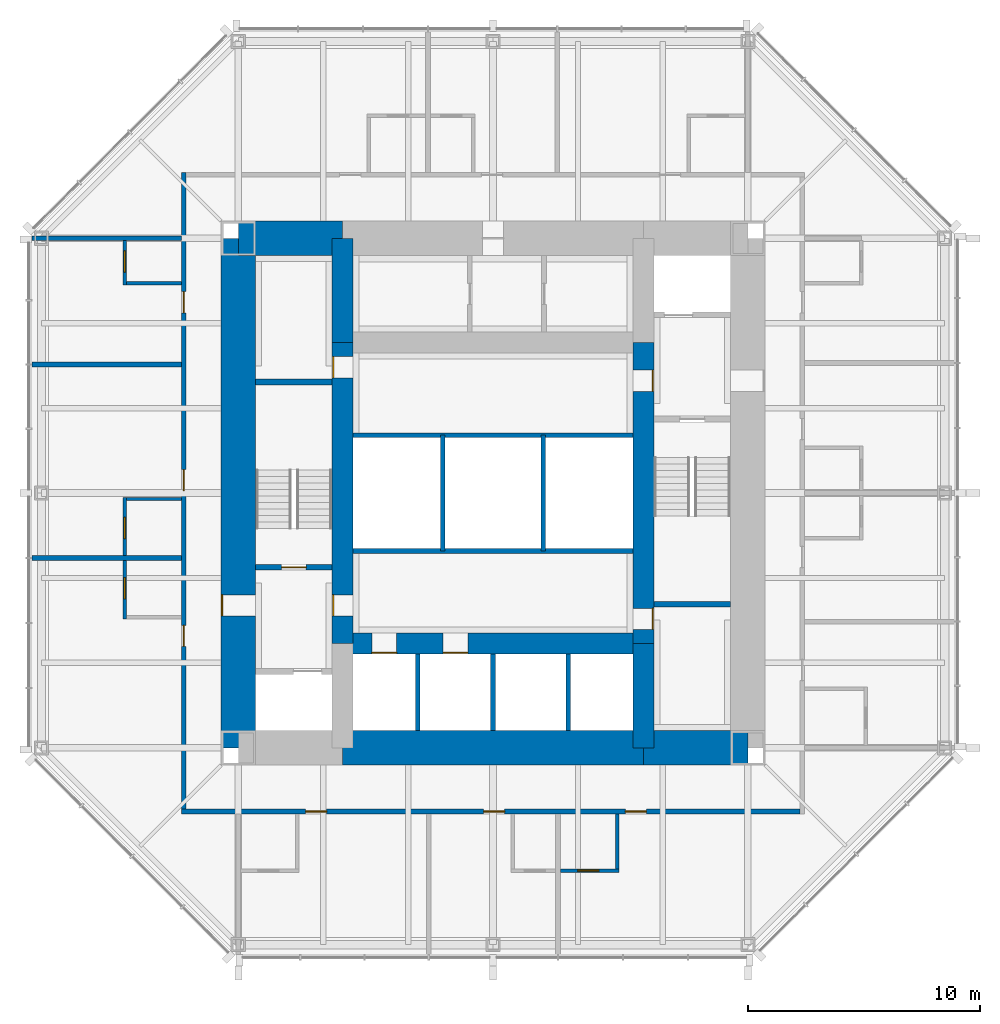
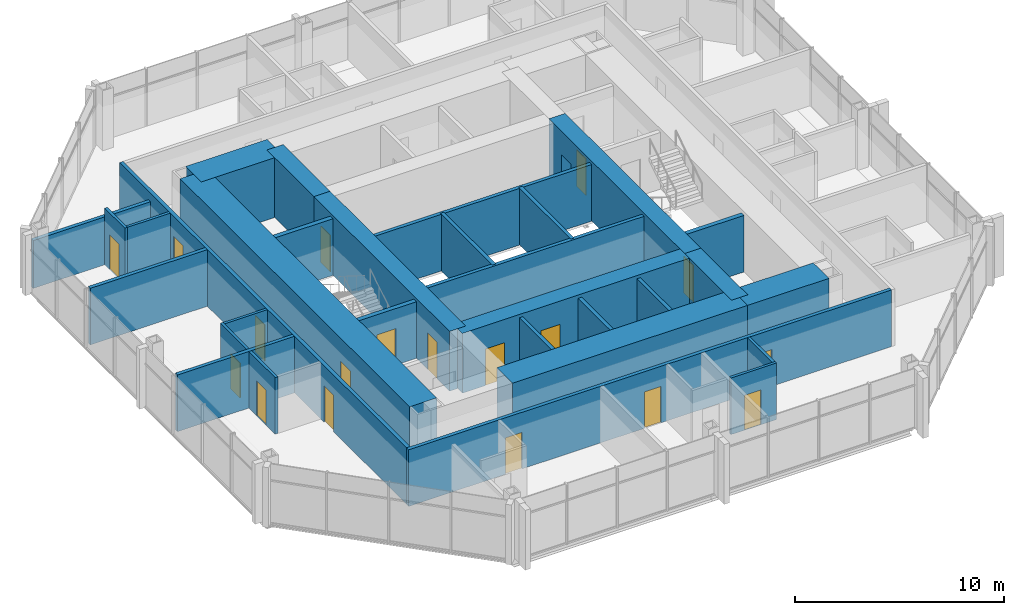
# One storey, part 8 of 11: 31 walls, 18 doors, 18 openings.
"""IFC4 building model written with IfcOpenShell, lengths in metres."""

from ifc_helpers import new_model, si_unit, direction, frame, frame_2d, origin, place, context, subcontext, project, spatial, rectangle, extrude, material, layer, layer_set, type_object, element, fill, save


model = new_model("IFC4")

# Units and contexts
model_context = context("Model", 3, precision=1e-05, world=origin(), true_north=direction((0.0, 1.0)))
body_context = subcontext(model_context, "Body", "Model", "MODEL_VIEW")
ifc_project = project(units=[si_unit("LENGTHUNIT", "METRE"), si_unit("AREAUNIT", "SQUARE_METRE"), si_unit("VOLUMEUNIT", "CUBIC_METRE"), si_unit("PLANEANGLEUNIT", "RADIAN"), si_unit("MASSUNIT", "GRAM", prefix="KILO")], contexts=[model_context])

# Site, building, storey
site_placement = place(None, origin())
site = spatial("IfcSite", under=ifc_project, at=site_placement, CompositionType="ELEMENT")
building_placement = place(site_placement, origin())
building = spatial("IfcBuilding", under=site, at=building_placement, Name="Trevanion Tower", CompositionType="ELEMENT")
storey_placement = place(building_placement, frame((0.0, 0.0, 211.699951171875)))
storey = spatial("IfcBuildingStorey", under=building, at=storey_placement, Name="L50", CompositionType="ELEMENT", Elevation=211.699951171875)

# Wall, opening, door
ifc_material_1 = material(Name="Concrete 10,000 psi", Category="concrete")
ifc_layer_1 = layer(ifc_material_1, 1.5)
ifc_layer_set_1 = layer_set([ifc_layer_1], Name="CW1 core wall 1500")
wall_type_1 = type_object("IfcWallType", Name="CW1 core wall 1500", PredefinedType="SHEAR", material=ifc_layer_set_1)
wall_1_placement = place(storey_placement, frame((-11.0, 11.0, 0.0), z_axis=(0.0, 0.0, 1.0), x_axis=(0.0, -1.0, 0.0)))
wall_1 = element("IfcWall", 1, at=wall_1_placement, inside=storey, type_object=wall_type_1, Name="CW1 CW L50", PredefinedType="SHEAR", context=body_context, shape_type="SweptSolid", body=[
    extrude(rectangle(XDim=22.0, YDim=1.5, at=frame_2d((11.0, 0.0))), origin(), (0.0, 0.0, 1.0), 3.5),
])
opening_1_placement = place(wall_1_placement, frame((15.392578125, 0.0, 0.0)))
opening_1 = element("IfcOpeningElement", 2, at=opening_1_placement, cuts=wall_1, Name="Opening 50-002", PredefinedType="OPENING", context=body_context, shape_type="SweptSolid", body=[
    extrude(rectangle(XDim=0.9150390625, YDim=2.134033203125, at=frame_2d((0.45751953125, 1.06689453125))), frame((0.0, 0.760009765625, 0.0), z_axis=(0.0, -1.0, 0.0), x_axis=(1.0, 0.0, 0.0)), (0.0, 0.0, 1.0), 1.52001953125),
])
ifc_material_2 = material(Name="Hollow metal, fire rated", Category="steel")
door_type_1 = type_object("IfcDoorType", Name="D3 fire lift lobby door", OperationType="SINGLE_SWING_RIGHT", PredefinedType="DOOR", material=ifc_material_2)
door_1_placement = place(opening_1_placement, origin())
door_1 = element("IfcDoor", 3, at=door_1_placement, inside=storey, type_object=door_type_1, Name="Door 50-002", OperationType="SINGLE_SWING_RIGHT", OverallHeight=2.134033203125, OverallWidth=0.9150390625, PredefinedType="DOOR", context=body_context, shape_type="SweptSolid", body=[
    extrude(rectangle(XDim=0.9150390625, YDim=2.134033203125, at=frame_2d((0.45751953125, 1.06689453125))), frame((0.0, -0.6748046875, 0.0), z_axis=(0.0, -1.0, 0.0), x_axis=(1.0, 0.0, 0.0)), (0.0, 0.0, 1.0), 0.050048828125),
])
fill(opening_1, door_1)

# Walls
wall_2_placement = place(storey_placement, frame((-6.5, 11.0, 0.0), z_axis=(0.0, 0.0, 1.0), x_axis=(-1.0, 0.0, 0.0)))
element("IfcWall", 4, at=wall_2_placement, inside=storey, type_object=wall_type_1, Name="CW1 CN3 L50", PredefinedType="SHEAR", context=body_context, shape_type="SweptSolid", body=[
    extrude(rectangle(XDim=4.5, YDim=1.5, at=frame_2d((2.25, 0.0))), origin(), (0.0, 0.0, 1.0), 3.5),
])
wall_3_placement = place(storey_placement, frame((-6.5, -11.0, 0.0), z_axis=(0.0, 0.0, 1.0), x_axis=(1.0, 0.0, 0.0)))
element("IfcWall", 5, at=wall_3_placement, inside=storey, type_object=wall_type_1, Name="CW1 CS2 L50", PredefinedType="SHEAR", context=body_context, shape_type="SweptSolid", body=[
    extrude(rectangle(XDim=13.0, YDim=1.5, at=frame_2d((6.5, 0.0))), origin(), (0.0, 0.0, 1.0), 3.5),
])
wall_4_placement = place(storey_placement, frame((6.5, -11.0, 0.0), z_axis=(0.0, 0.0, 1.0), x_axis=(1.0, 0.0, 0.0)))
element("IfcWall", 6, at=wall_4_placement, inside=storey, type_object=wall_type_1, Name="CW1 CS3 L50", PredefinedType="SHEAR", context=body_context, shape_type="SweptSolid", body=[
    extrude(rectangle(XDim=4.5, YDim=1.5, at=frame_2d((2.25, 0.0))), origin(), (0.0, 0.0, 1.0), 3.5),
])
ifc_material_3 = material(Name="Concrete 10,000 psi", Category="concrete")
ifc_layer_2 = layer(ifc_material_3, 0.89990234375)
ifc_layer_set_2 = layer_set([ifc_layer_2], Name="CW2 core wall 900")
wall_type_2 = type_object("IfcWallType", Name="CW2 core wall 900", PredefinedType="SHEAR", material=ifc_layer_set_2)
wall_5_placement = place(storey_placement, frame((6.5, -11.0, 0.0), z_axis=(0.0, 0.0, 1.0), x_axis=(0.0, 1.0, 0.0)))
element("IfcWall", 7, at=wall_5_placement, inside=storey, type_object=wall_type_2, Name="CW2 RE1 L50", PredefinedType="SHEAR", context=body_context, shape_type="SweptSolid", body=[
    extrude(rectangle(XDim=4.5, YDim=0.89990234375, at=frame_2d((2.25, 0.0))), origin(), (0.0, 0.0, 1.0), 3.5),
])

# Wall, openings, doors
wall_6_placement = place(storey_placement, frame((6.5, -6.5, 0.0), z_axis=(0.0, 0.0, 1.0), x_axis=(0.0, 1.0, 0.0)))
wall_6 = element("IfcWall", 8, at=wall_6_placement, inside=storey, type_object=wall_type_2, Name="CW2 RE2 L50", PredefinedType="SHEAR", context=body_context, shape_type="SweptSolid", body=[
    extrude(rectangle(XDim=13.0, YDim=0.89990234375, at=frame_2d((6.5, 0.0))), origin(), (0.0, 0.0, 1.0), 3.5),
])
opening_2_placement = place(wall_6_placement, frame((10.892578125, 0.0, 0.0)))
opening_2 = element("IfcOpeningElement", 9, at=opening_2_placement, cuts=wall_6, Name="Opening 50-003", PredefinedType="OPENING", context=body_context, shape_type="SweptSolid", body=[
    extrude(rectangle(XDim=0.9150390625, YDim=2.134033203125, at=frame_2d((0.45751953125, 1.06689453125))), frame((0.0, 0.4599609375, 0.0), z_axis=(0.0, -1.0, 0.0), x_axis=(1.0, 0.0, 0.0)), (0.0, 0.0, 1.0), 0.919921875),
])
opening_3_placement = place(wall_6_placement, frame((0.610107421875, 0.0, 0.0)))
opening_3 = element("IfcOpeningElement", 10, at=opening_3_placement, cuts=wall_6, Name="Opening 50-009", PredefinedType="OPENING", context=body_context, shape_type="SweptSolid", body=[
    extrude(rectangle(XDim=0.9150390625, YDim=2.134033203125, at=frame_2d((0.45751953125, 1.06689453125))), frame((0.0, 0.4599609375, 0.0), z_axis=(0.0, -1.0, 0.0), x_axis=(1.0, 0.0, 0.0)), (0.0, 0.0, 1.0), 0.919921875),
])
door_2_placement = place(opening_2_placement, origin())
door_2 = element("IfcDoor", 11, at=door_2_placement, inside=storey, type_object=door_type_1, Name="Door 50-003", OperationType="SINGLE_SWING_RIGHT", OverallHeight=2.134033203125, OverallWidth=0.9150390625, PredefinedType="DOOR", context=body_context, shape_type="SweptSolid", body=[
    extrude(rectangle(XDim=0.9150390625, YDim=2.134033203125, at=frame_2d((0.45751953125, 1.06689453125))), frame((0.0, -0.375, 0.0), z_axis=(0.0, -1.0, 0.0), x_axis=(1.0, 0.0, 0.0)), (0.0, 0.0, 1.0), 0.050048828125),
])
fill(opening_2, door_2)
ifc_material_4 = material(Name="Hollow metal, fire rated", Category="steel")
door_type_2 = type_object("IfcDoorType", Name="D5 service room door", OperationType="SINGLE_SWING_RIGHT", PredefinedType="DOOR", material=ifc_material_4)
door_3_placement = place(opening_3_placement, origin())
door_3 = element("IfcDoor", 12, at=door_3_placement, inside=storey, type_object=door_type_2, Name="Door 50-009", OperationType="SINGLE_SWING_RIGHT", OverallHeight=2.134033203125, OverallWidth=0.9150390625, PredefinedType="DOOR", context=body_context, shape_type="SweptSolid", body=[
    extrude(rectangle(XDim=0.9150390625, YDim=2.134033203125, at=frame_2d((0.45751953125, 1.06689453125))), frame((0.0, -0.375, 0.0), z_axis=(0.0, -1.0, 0.0), x_axis=(1.0, 0.0, 0.0)), (0.0, 0.0, 1.0), 0.050048828125),
])
fill(opening_3, door_3)

# Wall
wall_7_placement = place(storey_placement, frame((-6.5, 11.0, 0.0), z_axis=(0.0, 0.0, 1.0), x_axis=(0.0, -1.0, 0.0)))
element("IfcWall", 13, at=wall_7_placement, inside=storey, type_object=wall_type_2, Name="CW2 RW1 L50", PredefinedType="SHEAR", context=body_context, shape_type="SweptSolid", body=[
    extrude(rectangle(XDim=4.5, YDim=0.89990234375, at=frame_2d((2.25, 0.0))), origin(), (0.0, 0.0, 1.0), 3.5),
])

# Wall, openings, doors
wall_8_placement = place(storey_placement, frame((-6.5, 6.5, 0.0), z_axis=(0.0, 0.0, 1.0), x_axis=(0.0, -1.0, 0.0)))
wall_8 = element("IfcWall", 14, at=wall_8_placement, inside=storey, type_object=wall_type_2, Name="CW2 RW2 L50", PredefinedType="SHEAR", context=body_context, shape_type="SweptSolid", body=[
    extrude(rectangle(XDim=13.0, YDim=0.89990234375, at=frame_2d((6.5, 0.0))), origin(), (0.0, 0.0, 1.0), 3.5),
])
opening_4_placement = place(wall_8_placement, frame((10.892578125, 0.0, 0.0)))
opening_4 = element("IfcOpeningElement", 15, at=opening_4_placement, cuts=wall_8, Name="Opening 50-004", PredefinedType="OPENING", context=body_context, shape_type="SweptSolid", body=[
    extrude(rectangle(XDim=0.9150390625, YDim=2.134033203125, at=frame_2d((0.45751953125, 1.06689453125))), frame((0.0, 0.4599609375, 0.0), z_axis=(0.0, -1.0, 0.0), x_axis=(1.0, 0.0, 0.0)), (0.0, 0.0, 1.0), 0.919921875),
])
opening_5_placement = place(wall_8_placement, frame((0.610107421875, 0.0, 0.0)))
opening_5 = element("IfcOpeningElement", 16, at=opening_5_placement, cuts=wall_8, Name="Opening 50-010", PredefinedType="OPENING", context=body_context, shape_type="SweptSolid", body=[
    extrude(rectangle(XDim=0.9150390625, YDim=2.134033203125, at=frame_2d((0.45751953125, 1.06689453125))), frame((0.0, 0.4599609375, 0.0), z_axis=(0.0, -1.0, 0.0), x_axis=(1.0, 0.0, 0.0)), (0.0, 0.0, 1.0), 0.919921875),
])
door_4_placement = place(opening_4_placement, origin())
door_4 = element("IfcDoor", 17, at=door_4_placement, inside=storey, type_object=door_type_1, Name="Door 50-004", OperationType="SINGLE_SWING_RIGHT", OverallHeight=2.134033203125, OverallWidth=0.9150390625, PredefinedType="DOOR", context=body_context, shape_type="SweptSolid", body=[
    extrude(rectangle(XDim=0.9150390625, YDim=2.134033203125, at=frame_2d((0.45751953125, 1.06689453125))), frame((0.0, -0.375, 0.0), z_axis=(0.0, -1.0, 0.0), x_axis=(1.0, 0.0, 0.0)), (0.0, 0.0, 1.0), 0.050048828125),
])
fill(opening_4, door_4)
door_5_placement = place(opening_5_placement, origin())
door_5 = element("IfcDoor", 18, at=door_5_placement, inside=storey, type_object=door_type_2, Name="Door 50-010", OperationType="SINGLE_SWING_RIGHT", OverallHeight=2.134033203125, OverallWidth=0.9150390625, PredefinedType="DOOR", context=body_context, shape_type="SweptSolid", body=[
    extrude(rectangle(XDim=0.9150390625, YDim=2.134033203125, at=frame_2d((0.45751953125, 1.06689453125))), frame((0.0, -0.375, 0.0), z_axis=(0.0, -1.0, 0.0), x_axis=(1.0, 0.0, 0.0)), (0.0, 0.0, 1.0), 0.050048828125),
])
fill(opening_5, door_5)

wall_9_placement = place(storey_placement, frame((-6.5, -6.5, 0.0), z_axis=(0.0, 0.0, 1.0), x_axis=(1.0, 0.0, 0.0)))
wall_9 = element("IfcWall", 19, at=wall_9_placement, inside=storey, type_object=wall_type_2, Name="CW2 RS L50", PredefinedType="SHEAR", context=body_context, shape_type="SweptSolid", body=[
    extrude(rectangle(XDim=13.0, YDim=0.89990234375, at=frame_2d((6.5, 0.0))), origin(), (0.0, 0.0, 1.0), 3.5),
])
opening_6_placement = place(wall_9_placement, frame((1.2666015625, 0.0, 0.0)))
opening_6 = element("IfcOpeningElement", 20, at=opening_6_placement, cuts=wall_9, Name="Opening 50-011", PredefinedType="OPENING", context=body_context, shape_type="SweptSolid", body=[
    extrude(rectangle(XDim=1.06689453125, YDim=2.134033203125, at=frame_2d((0.533447265625, 1.06689453125))), frame((0.0, 0.4599609375, 0.0), z_axis=(0.0, -1.0, 0.0), x_axis=(1.0, 0.0, 0.0)), (0.0, 0.0, 1.0), 0.919921875),
])
opening_7_placement = place(wall_9_placement, frame((4.341552734375, 0.0, 0.0)))
opening_7 = element("IfcOpeningElement", 21, at=opening_7_placement, cuts=wall_9, Name="Opening 50-012", PredefinedType="OPENING", context=body_context, shape_type="SweptSolid", body=[
    extrude(rectangle(XDim=1.06689453125, YDim=2.134033203125, at=frame_2d((0.533447265625, 1.06689453125))), frame((0.0, 0.4599609375, 0.0), z_axis=(0.0, -1.0, 0.0), x_axis=(1.0, 0.0, 0.0)), (0.0, 0.0, 1.0), 0.919921875),
])
ifc_material_5 = material(Name="Stainless steel, fire rated", Category="steel")
door_type_3 = type_object("IfcDoorType", Name="LD1 lift landing door", OperationType="SLIDING_TO_LEFT", PredefinedType="DOOR", material=ifc_material_5)
door_6_placement = place(opening_6_placement, origin())
door_6 = element("IfcDoor", 22, at=door_6_placement, inside=storey, type_object=door_type_3, Name="Door 50-011", OperationType="SLIDING_TO_LEFT", OverallHeight=2.134033203125, OverallWidth=1.06689453125, PredefinedType="DOOR", context=body_context, shape_type="SweptSolid", body=[
    extrude(rectangle(XDim=1.06689453125, YDim=2.134033203125, at=frame_2d((0.533447265625, 1.06689453125))), frame((0.0, -0.375, 0.0), z_axis=(0.0, -1.0, 0.0), x_axis=(1.0, 0.0, 0.0)), (0.0, 0.0, 1.0), 0.050048828125),
])
fill(opening_6, door_6)
door_7_placement = place(opening_7_placement, origin())
door_7 = element("IfcDoor", 23, at=door_7_placement, inside=storey, type_object=door_type_3, Name="Door 50-012", OperationType="SLIDING_TO_LEFT", OverallHeight=2.134033203125, OverallWidth=1.06689453125, PredefinedType="DOOR", context=body_context, shape_type="SweptSolid", body=[
    extrude(rectangle(XDim=1.06689453125, YDim=2.134033203125, at=frame_2d((0.533447265625, 1.06689453125))), frame((0.0, -0.375, 0.0), z_axis=(0.0, -1.0, 0.0), x_axis=(1.0, 0.0, 0.0)), (0.0, 0.0, 1.0), 0.050048828125),
])
fill(opening_7, door_7)

# Wall, opening, door
ifc_material_6 = material(Name="Gypsum board on steel studs", Category="steel")
ifc_layer_3 = layer(ifc_material_6, 0.14990234375)
ifc_layer_set_3 = layer_set([ifc_layer_3], Name="PT1 partition 150")
wall_type_3 = type_object("IfcWallType", Name="PT1 partition 150", PredefinedType="PARTITIONING", material=ifc_layer_set_3)
wall_10_placement = place(storey_placement, frame((-15.89990234375, 10.89990234375, 0.0), z_axis=(0.0, 0.0, 1.0), x_axis=(0.0, -1.0, 0.0)))
wall_10 = element("IfcWall", 24, at=wall_10_placement, inside=storey, type_object=wall_type_3, Name="PT1 L50 BA20", PredefinedType="PARTITIONING", context=body_context, shape_type="SweptSolid", body=[
    extrude(rectangle(XDim=1.9248046875, YDim=0.14990234375, at=frame_2d((0.96240234375, 0.0))), origin(), (0.0, 0.0, 1.0), 3.31005859375),
])
opening_8_placement = place(wall_10_placement, frame((0.4423828125, 0.0, 0.0)))
opening_8 = element("IfcOpeningElement", 25, at=opening_8_placement, cuts=wall_10, Name="Opening 50-030", PredefinedType="OPENING", context=body_context, shape_type="SweptSolid", body=[
    extrude(rectangle(XDim=0.9150390625, YDim=2.031982421875, at=frame_2d((0.45751953125, 1.01611328125))), frame((0.0, 0.0849609375, 0.0), z_axis=(0.0, -1.0, 0.0), x_axis=(1.0, 0.0, 0.0)), (0.0, 0.0, 1.0), 0.169921875),
])
ifc_material_7 = material(Name="Timber veneer", Category="wood")
door_type_4 = type_object("IfcDoorType", Name="D7 bathroom door", OperationType="SINGLE_SWING_LEFT", PredefinedType="DOOR", material=ifc_material_7)
door_8_placement = place(opening_8_placement, origin())
door_8 = element("IfcDoor", 26, at=door_8_placement, inside=storey, type_object=door_type_4, Name="Door 50-030", OperationType="SINGLE_SWING_LEFT", OverallHeight=2.031982421875, OverallWidth=0.9150390625, PredefinedType="DOOR", context=body_context, shape_type="SweptSolid", body=[
    extrude(rectangle(XDim=0.9150390625, YDim=2.031982421875, at=frame_2d((0.45751953125, 1.01611328125))), frame((0.0, 0.02490234375, 0.0), z_axis=(0.0, -1.0, 0.0), x_axis=(1.0, 0.0, 0.0)), (0.0, 0.0, 1.0), 0.050048828125),
])
fill(opening_8, door_8)

# Wall
wall_11_placement = place(storey_placement, frame((-13.449951171875, 9.050048828125, 0.0), z_axis=(0.0, 0.0, 1.0), x_axis=(-1.0, 0.0, 0.0)))
element("IfcWall", 27, at=wall_11_placement, inside=storey, type_object=wall_type_3, Name="PT1 L50 BB20", PredefinedType="PARTITIONING", context=body_context, shape_type="SweptSolid", body=[
    extrude(rectangle(XDim=2.375, YDim=0.14990234375, at=frame_2d((1.1875, 0.0))), origin(), (0.0, 0.0, 1.0), 3.31005859375),
])

# Wall, opening, door
wall_12_placement = place(storey_placement, frame((-15.89990234375, -0.181884765625, 0.0), z_axis=(0.0, 0.0, 1.0), x_axis=(0.0, -1.0, 0.0)))
wall_12 = element("IfcWall", 28, at=wall_12_placement, inside=storey, type_object=wall_type_3, Name="PT1 L50 BA21", PredefinedType="PARTITIONING", context=body_context, shape_type="SweptSolid", body=[
    extrude(rectangle(XDim=2.525146484375, YDim=0.14990234375, at=frame_2d((1.2626953125, 0.0))), origin(), (0.0, 0.0, 1.0), 3.31005859375),
])
opening_9_placement = place(wall_12_placement, frame((0.867431640625, 0.0, 0.0)))
opening_9 = element("IfcOpeningElement", 29, at=opening_9_placement, cuts=wall_12, Name="Opening 50-032", PredefinedType="OPENING", context=body_context, shape_type="SweptSolid", body=[
    extrude(rectangle(XDim=0.9150390625, YDim=2.031982421875, at=frame_2d((0.45751953125, 1.01611328125))), frame((0.0, 0.0849609375, 0.0), z_axis=(0.0, -1.0, 0.0), x_axis=(1.0, 0.0, 0.0)), (0.0, 0.0, 1.0), 0.169921875),
])
door_9_placement = place(opening_9_placement, origin())
door_9 = element("IfcDoor", 30, at=door_9_placement, inside=storey, type_object=door_type_4, Name="Door 50-032", OperationType="SINGLE_SWING_LEFT", OverallHeight=2.031982421875, OverallWidth=0.9150390625, PredefinedType="DOOR", context=body_context, shape_type="SweptSolid", body=[
    extrude(rectangle(XDim=0.9150390625, YDim=2.031982421875, at=frame_2d((0.45751953125, 1.01611328125))), frame((0.0, 0.02490234375, 0.0), z_axis=(0.0, -1.0, 0.0), x_axis=(1.0, 0.0, 0.0)), (0.0, 0.0, 1.0), 0.050048828125),
])
fill(opening_9, door_9)

# Wall
wall_13_placement = place(storey_placement, frame((-13.449951171875, -0.257080078125, 0.0), z_axis=(0.0, 0.0, 1.0), x_axis=(-1.0, 0.0, 0.0)))
element("IfcWall", 31, at=wall_13_placement, inside=storey, type_object=wall_type_3, Name="PT1 L50 BB21", PredefinedType="PARTITIONING", context=body_context, shape_type="SweptSolid", body=[
    extrude(rectangle(XDim=2.375, YDim=0.14990234375, at=frame_2d((1.1875, 0.0))), origin(), (0.0, 0.0, 1.0), 3.31005859375),
])

# Wall, opening, door
wall_14_placement = place(storey_placement, frame((-15.89990234375, -2.906982421875, 0.0), z_axis=(0.0, 0.0, 1.0), x_axis=(0.0, -1.0, 0.0)))
wall_14 = element("IfcWall", 32, at=wall_14_placement, inside=storey, type_object=wall_type_3, Name="PT1 L50 BA22", PredefinedType="PARTITIONING", context=body_context, shape_type="SweptSolid", body=[
    extrude(rectangle(XDim=2.52490234375, YDim=0.14990234375, at=frame_2d((1.262451171875, 0.0))), origin(), (0.0, 0.0, 1.0), 3.31005859375),
])
opening_10_placement = place(wall_14_placement, frame((0.742431640625, 0.0, 0.0)))
opening_10 = element("IfcOpeningElement", 33, at=opening_10_placement, cuts=wall_14, Name="Opening 50-034", PredefinedType="OPENING", context=body_context, shape_type="SweptSolid", body=[
    extrude(rectangle(XDim=0.9150390625, YDim=2.031982421875, at=frame_2d((0.45751953125, 1.01611328125))), frame((0.0, 0.0849609375, 0.0), z_axis=(0.0, -1.0, 0.0), x_axis=(1.0, 0.0, 0.0)), (0.0, 0.0, 1.0), 0.169921875),
])
door_10_placement = place(opening_10_placement, origin())
door_10 = element("IfcDoor", 34, at=door_10_placement, inside=storey, type_object=door_type_4, Name="Door 50-034", OperationType="SINGLE_SWING_LEFT", OverallHeight=2.031982421875, OverallWidth=0.9150390625, PredefinedType="DOOR", context=body_context, shape_type="SweptSolid", body=[
    extrude(rectangle(XDim=0.9150390625, YDim=2.031982421875, at=frame_2d((0.45751953125, 1.01611328125))), frame((0.0, 0.02490234375, 0.0), z_axis=(0.0, -1.0, 0.0), x_axis=(1.0, 0.0, 0.0)), (0.0, 0.0, 1.0), 0.050048828125),
])
fill(opening_10, door_10)

wall_15_placement = place(storey_placement, frame((2.906982421875, -16.300048828125, 0.0), z_axis=(0.0, 0.0, 1.0), x_axis=(1.0, 0.0, 0.0)))
wall_15 = element("IfcWall", 35, at=wall_15_placement, inside=storey, type_object=wall_type_3, Name="PT1 L50 BA32", PredefinedType="PARTITIONING", context=body_context, shape_type="SweptSolid", body=[
    extrude(rectangle(XDim=2.52490234375, YDim=0.14990234375, at=frame_2d((1.262451171875, 0.0))), origin(), (0.0, 0.0, 1.0), 3.31005859375),
])
opening_11_placement = place(wall_15_placement, frame((0.742431640625, 0.0, 0.0)))
opening_11 = element("IfcOpeningElement", 36, at=opening_11_placement, cuts=wall_15, Name="Opening 50-040", PredefinedType="OPENING", context=body_context, shape_type="SweptSolid", body=[
    extrude(rectangle(XDim=0.9150390625, YDim=2.031982421875, at=frame_2d((0.45751953125, 1.01611328125))), frame((0.0, 0.0849609375, 0.0), z_axis=(0.0, -1.0, 0.0), x_axis=(1.0, 0.0, 0.0)), (0.0, 0.0, 1.0), 0.169921875),
])
door_11_placement = place(opening_11_placement, origin())
door_11 = element("IfcDoor", 37, at=door_11_placement, inside=storey, type_object=door_type_4, Name="Door 50-040", OperationType="SINGLE_SWING_LEFT", OverallHeight=2.031982421875, OverallWidth=0.9150390625, PredefinedType="DOOR", context=body_context, shape_type="SweptSolid", body=[
    extrude(rectangle(XDim=0.9150390625, YDim=2.031982421875, at=frame_2d((0.45751953125, 1.01611328125))), frame((0.0, 0.02490234375, 0.0), z_axis=(0.0, -1.0, 0.0), x_axis=(1.0, 0.0, 0.0)), (0.0, 0.0, 1.0), 0.050048828125),
])
fill(opening_11, door_11)

# Walls
wall_16_placement = place(storey_placement, frame((5.35693359375, -13.85009765625, 0.0), z_axis=(0.0, 0.0, 1.0), x_axis=(0.0, -1.0, 0.0)))
element("IfcWall", 38, at=wall_16_placement, inside=storey, type_object=wall_type_3, Name="PT1 L50 BB32", PredefinedType="PARTITIONING", context=body_context, shape_type="SweptSolid", body=[
    extrude(rectangle(XDim=2.375, YDim=0.14990234375, at=frame_2d((1.1875, 0.0))), origin(), (0.0, 0.0, 1.0), 3.31005859375),
])
ifc_material_8 = material(Name="Concrete masonry, grouted", Category="masonry")
ifc_layer_4 = layer(ifc_material_8, 0.199951171875)
ifc_layer_set_4 = layer_set([ifc_layer_4], Name="PT2 partition 200 1 HR")
wall_type_4 = type_object("IfcWallType", Name="PT2 partition 200 1 HR", PredefinedType="PARTITIONING", material=ifc_layer_set_4)
for number, where, z_axis, x_axis, name in (
    (39, (-6.050048828125, 2.5, 0.0), (0.0, 0.0, 1.0), (1.0, 0.0, 0.0), "PT2 L50 CP1"),
    (40, (6.050048828125, -2.5, 0.0), (0.0, 0.0, 1.0), (-1.0, 0.0, 0.0), "PT2 L50 CP2"),
):
    element("IfcWall", number, at=place(storey_placement, frame(where, z_axis=z_axis, x_axis=x_axis)), inside=storey, type_object=wall_type_4, Name=name, PredefinedType="PARTITIONING", context=body_context, shape_type="SweptSolid", body=[
        extrude(rectangle(XDim=12.10009765625, YDim=0.199951171875, at=frame_2d((6.050048828125, 0.0))), origin(), (0.0, 0.0, 1.0), 3.31005859375),
    ])

# Wall, openings, doors
wall_17_placement = place(storey_placement, frame((-13.35009765625, 13.85009765625, 0.0), z_axis=(0.0, 0.0, 1.0), x_axis=(0.0, -1.0, 0.0)))
wall_17 = element("IfcWall", 41, at=wall_17_placement, inside=storey, type_object=wall_type_4, Name="PT2 L50 HC2", PredefinedType="PARTITIONING", context=body_context, shape_type="SweptSolid", body=[
    extrude(rectangle(XDim=27.5, YDim=0.199951171875, at=frame_2d((13.75, 0.0))), origin(), (0.0, 0.0, 1.0), 3.31005859375),
])
opening_12_placement = place(wall_17_placement, frame((5.152587890625, 0.0, 0.0)))
opening_12 = element("IfcOpeningElement", 42, at=opening_12_placement, cuts=wall_17, Name="Opening 50-031", PredefinedType="OPENING", context=body_context, shape_type="SweptSolid", body=[
    extrude(rectangle(XDim=0.9150390625, YDim=2.134033203125, at=frame_2d((0.45751953125, 1.06689453125))), frame((0.0, 0.10986328125, 0.0), z_axis=(0.0, -1.0, 0.0), x_axis=(1.0, 0.0, 0.0)), (0.0, 0.0, 1.0), 0.219970703125),
])
opening_13_placement = place(wall_17_placement, frame((12.839599609375, 0.0, 0.0)))
opening_13 = element("IfcOpeningElement", 43, at=opening_13_placement, cuts=wall_17, Name="Opening 50-033", PredefinedType="OPENING", context=body_context, shape_type="SweptSolid", body=[
    extrude(rectangle(XDim=0.9150390625, YDim=2.134033203125, at=frame_2d((0.45751953125, 1.06689453125))), frame((0.0, 0.10986328125, 0.0), z_axis=(0.0, -1.0, 0.0), x_axis=(1.0, 0.0, 0.0)), (0.0, 0.0, 1.0), 0.219970703125),
])
opening_14_placement = place(wall_17_placement, frame((19.5595703125, 0.0, 0.0)))
opening_14 = element("IfcOpeningElement", 44, at=opening_14_placement, cuts=wall_17, Name="Opening 50-035", PredefinedType="OPENING", context=body_context, shape_type="SweptSolid", body=[
    extrude(rectangle(XDim=0.9150390625, YDim=2.134033203125, at=frame_2d((0.45751953125, 1.06689453125))), frame((0.0, 0.10986328125, 0.0), z_axis=(0.0, -1.0, 0.0), x_axis=(1.0, 0.0, 0.0)), (0.0, 0.0, 1.0), 0.219970703125),
])
ifc_material_9 = material(Name="Timber veneer, fire rated", Category="wood")
door_type_5 = type_object("IfcDoorType", Name="D6 guest room entrance door", OperationType="SINGLE_SWING_LEFT", PredefinedType="DOOR", material=ifc_material_9)
door_12_placement = place(opening_12_placement, origin())
door_12 = element("IfcDoor", 45, at=door_12_placement, inside=storey, type_object=door_type_5, Name="Door 50-031", OperationType="SINGLE_SWING_LEFT", OverallHeight=2.134033203125, OverallWidth=0.9150390625, PredefinedType="DOOR", context=body_context, shape_type="SweptSolid", body=[
    extrude(rectangle(XDim=0.9150390625, YDim=2.134033203125, at=frame_2d((0.45751953125, 1.06689453125))), frame((0.0, 0.02490234375, 0.0), z_axis=(0.0, -1.0, 0.0), x_axis=(1.0, 0.0, 0.0)), (0.0, 0.0, 1.0), 0.050048828125),
])
fill(opening_12, door_12)
door_13_placement = place(opening_13_placement, origin())
door_13 = element("IfcDoor", 46, at=door_13_placement, inside=storey, type_object=door_type_5, Name="Door 50-033", OperationType="SINGLE_SWING_LEFT", OverallHeight=2.134033203125, OverallWidth=0.9150390625, PredefinedType="DOOR", context=body_context, shape_type="SweptSolid", body=[
    extrude(rectangle(XDim=0.9150390625, YDim=2.134033203125, at=frame_2d((0.45751953125, 1.06689453125))), frame((0.0, 0.02490234375, 0.0), z_axis=(0.0, -1.0, 0.0), x_axis=(1.0, 0.0, 0.0)), (0.0, 0.0, 1.0), 0.050048828125),
])
fill(opening_13, door_13)
door_14_placement = place(opening_14_placement, origin())
door_14 = element("IfcDoor", 47, at=door_14_placement, inside=storey, type_object=door_type_5, Name="Door 50-035", OperationType="SINGLE_SWING_LEFT", OverallHeight=2.134033203125, OverallWidth=0.9150390625, PredefinedType="DOOR", context=body_context, shape_type="SweptSolid", body=[
    extrude(rectangle(XDim=0.9150390625, YDim=2.134033203125, at=frame_2d((0.45751953125, 1.06689453125))), frame((0.0, 0.02490234375, 0.0), z_axis=(0.0, -1.0, 0.0), x_axis=(1.0, 0.0, 0.0)), (0.0, 0.0, 1.0), 0.050048828125),
])
fill(opening_14, door_14)

wall_18_placement = place(storey_placement, frame((-13.449951171875, -13.75, 0.0), z_axis=(0.0, 0.0, 1.0), x_axis=(1.0, 0.0, 0.0)))
wall_18 = element("IfcWall", 48, at=wall_18_placement, inside=storey, type_object=wall_type_4, Name="PT2 L50 HC3", PredefinedType="PARTITIONING", context=body_context, shape_type="SweptSolid", body=[
    extrude(rectangle(XDim=26.699951171875, YDim=0.199951171875, at=frame_2d((13.35009765625, 0.0))), origin(), (0.0, 0.0, 1.0), 3.31005859375),
])
opening_15_placement = place(wall_18_placement, frame((5.3525390625, 0.0, 0.0)))
opening_15 = element("IfcOpeningElement", 49, at=opening_15_placement, cuts=wall_18, Name="Opening 50-037", PredefinedType="OPENING", context=body_context, shape_type="SweptSolid", body=[
    extrude(rectangle(XDim=0.9150390625, YDim=2.134033203125, at=frame_2d((0.45751953125, 1.06689453125))), frame((0.0, 0.10986328125, 0.0), z_axis=(0.0, -1.0, 0.0), x_axis=(1.0, 0.0, 0.0)), (0.0, 0.0, 1.0), 0.219970703125),
])
opening_16_placement = place(wall_18_placement, frame((13.03955078125, 0.0, 0.0)))
opening_16 = element("IfcOpeningElement", 50, at=opening_16_placement, cuts=wall_18, Name="Opening 50-039", PredefinedType="OPENING", context=body_context, shape_type="SweptSolid", body=[
    extrude(rectangle(XDim=0.9150390625, YDim=2.134033203125, at=frame_2d((0.45751953125, 1.06689453125))), frame((0.0, 0.10986328125, 0.0), z_axis=(0.0, -1.0, 0.0), x_axis=(1.0, 0.0, 0.0)), (0.0, 0.0, 1.0), 0.219970703125),
])
opening_17_placement = place(wall_18_placement, frame((19.159423828125, 0.0, 0.0)))
opening_17 = element("IfcOpeningElement", 51, at=opening_17_placement, cuts=wall_18, Name="Opening 50-041", PredefinedType="OPENING", context=body_context, shape_type="SweptSolid", body=[
    extrude(rectangle(XDim=0.9150390625, YDim=2.134033203125, at=frame_2d((0.45751953125, 1.06689453125))), frame((0.0, 0.10986328125, 0.0), z_axis=(0.0, -1.0, 0.0), x_axis=(1.0, 0.0, 0.0)), (0.0, 0.0, 1.0), 0.219970703125),
])
door_15_placement = place(opening_15_placement, origin())
door_15 = element("IfcDoor", 52, at=door_15_placement, inside=storey, type_object=door_type_5, Name="Door 50-037", OperationType="SINGLE_SWING_LEFT", OverallHeight=2.134033203125, OverallWidth=0.9150390625, PredefinedType="DOOR", context=body_context, shape_type="SweptSolid", body=[
    extrude(rectangle(XDim=0.9150390625, YDim=2.134033203125, at=frame_2d((0.45751953125, 1.06689453125))), frame((0.0, 0.02490234375, 0.0), z_axis=(0.0, -1.0, 0.0), x_axis=(1.0, 0.0, 0.0)), (0.0, 0.0, 1.0), 0.050048828125),
])
fill(opening_15, door_15)
door_16_placement = place(opening_16_placement, origin())
door_16 = element("IfcDoor", 53, at=door_16_placement, inside=storey, type_object=door_type_5, Name="Door 50-039", OperationType="SINGLE_SWING_LEFT", OverallHeight=2.134033203125, OverallWidth=0.9150390625, PredefinedType="DOOR", context=body_context, shape_type="SweptSolid", body=[
    extrude(rectangle(XDim=0.9150390625, YDim=2.134033203125, at=frame_2d((0.45751953125, 1.06689453125))), frame((0.0, 0.02490234375, 0.0), z_axis=(0.0, -1.0, 0.0), x_axis=(1.0, 0.0, 0.0)), (0.0, 0.0, 1.0), 0.050048828125),
])
fill(opening_16, door_16)
door_17_placement = place(opening_17_placement, origin())
door_17 = element("IfcDoor", 54, at=door_17_placement, inside=storey, type_object=door_type_5, Name="Door 50-041", OperationType="SINGLE_SWING_LEFT", OverallHeight=2.134033203125, OverallWidth=0.9150390625, PredefinedType="DOOR", context=body_context, shape_type="SweptSolid", body=[
    extrude(rectangle(XDim=0.9150390625, YDim=2.134033203125, at=frame_2d((0.45751953125, 1.06689453125))), frame((0.0, 0.02490234375, 0.0), z_axis=(0.0, -1.0, 0.0), x_axis=(1.0, 0.0, 0.0)), (0.0, 0.0, 1.0), 0.050048828125),
])
fill(opening_17, door_17)

# Walls
wall_19_placement = place(storey_placement, frame((-13.449951171875, 11.0, 0.0), z_axis=(0.0, 0.0, 1.0), x_axis=(-1.0, 0.0, 0.0)))
element("IfcWall", 55, at=wall_19_placement, inside=storey, type_object=wall_type_4, Name="PT2 L50 HD20", PredefinedType="PARTITIONING", context=body_context, shape_type="SweptSolid", body=[
    extrude(rectangle(XDim=6.465087890625, YDim=0.199951171875, at=frame_2d((3.232421875, 0.0))), origin(), (0.0, 0.0, 1.0), 2.802001953125),
])
for number, where, z_axis, x_axis, name in (
    (56, (-13.449951171875, 5.549072265625, 0.0), (0.0, 0.0, 1.0), (-1.0, 0.0, 0.0), "PT2 L50 HD21"),
    (57, (-13.449951171875, -2.806884765625, 0.0), (0.0, 0.0, 1.0), (-1.0, 0.0, 0.0), "PT2 L50 HD22"),
):
    element("IfcWall", number, at=place(storey_placement, frame(where, z_axis=z_axis, x_axis=x_axis)), inside=storey, type_object=wall_type_4, Name=name, PredefinedType="PARTITIONING", context=body_context, shape_type="SweptSolid", body=[
        extrude(rectangle(XDim=6.465087890625, YDim=0.199951171875, at=frame_2d((3.232421875, 0.0))), origin(), (0.0, 0.0, 1.0), 3.31005859375),
    ])
ifc_material_10 = material(Name="Concrete masonry, grouted", Category="masonry")
ifc_layer_5 = layer(ifc_material_10, 0.199951171875)
ifc_layer_set_5 = layer_set([ifc_layer_5], Name="PT2 partition 200 2 HR")
wall_type_5 = type_object("IfcWallType", Name="PT2 partition 200 2 HR", PredefinedType="PARTITIONING", material=ifc_layer_set_5)
for number, where, z_axis, x_axis, name in (
    (58, (-3.25, -10.25, 0.0), (0.0, 0.0, 1.0), (0.0, 1.0, 0.0), "PT2 L50 SS0"),
    (59, (0.0, -10.25, 0.0), (0.0, 0.0, 1.0), (0.0, 1.0, 0.0), "PT2 L50 SS1"),
    (60, (3.25, -10.25, 0.0), (0.0, 0.0, 1.0), (0.0, 1.0, 0.0), "PT2 L50 SS2"),
):
    element("IfcWall", number, at=place(storey_placement, frame(where, z_axis=z_axis, x_axis=x_axis)), inside=storey, type_object=wall_type_5, Name=name, PredefinedType="PARTITIONING", context=body_context, shape_type="SweptSolid", body=[
        extrude(rectangle(XDim=3.300048828125, YDim=0.199951171875, at=frame_2d((1.64990234375, 0.0))), origin(), (0.0, 0.0, 1.0), 3.31005859375),
    ])
for number, where, z_axis, x_axis, name in (
    (61, (-2.166748046875, -2.5, 0.0), (0.0, 0.0, 1.0), (0.0, 1.0, 0.0), "PT2 L50 MS0"),
    (62, (2.166748046875, -2.5, 0.0), (0.0, 0.0, 1.0), (0.0, 1.0, 0.0), "PT2 L50 MS1"),
):
    element("IfcWall", number, at=place(storey_placement, frame(where, z_axis=z_axis, x_axis=x_axis)), inside=storey, type_object=wall_type_5, Name=name, PredefinedType="PARTITIONING", context=body_context, shape_type="SweptSolid", body=[
        extrude(rectangle(XDim=5.0, YDim=0.199951171875, at=frame_2d((2.5, 0.0))), origin(), (0.0, 0.0, 1.0), 3.31005859375),
    ])
ifc_material_11 = material(Name="Reinforced masonry, fully grouted", Category="masonry")
ifc_layer_6 = layer(ifc_material_11, 0.25)
ifc_layer_set_6 = layer_set([ifc_layer_6], Name="SW1 stair shaft wall 250")
wall_type_6 = type_object("IfcWallType", Name="SW1 stair shaft wall 250", PredefinedType="SOLIDWALL", material=ifc_layer_set_6)
for number, where, z_axis, x_axis, name in (
    (63, (6.949951171875, -4.800048828125, 0.0), (0.0, 0.0, 1.0), (1.0, 0.0, 0.0), "SW1 L50 EP1"),
    (64, (-6.949951171875, 4.800048828125, 0.0), (0.0, 0.0, 1.0), (-1.0, 0.0, 0.0), "SW1 L50 WP1"),
):
    element("IfcWall", number, at=place(storey_placement, frame(where, z_axis=z_axis, x_axis=x_axis)), inside=storey, type_object=wall_type_6, Name=name, PredefinedType="SOLIDWALL", context=body_context, shape_type="SweptSolid", body=[
        extrude(rectangle(XDim=3.300048828125, YDim=0.25, at=frame_2d((1.64990234375, 0.0))), origin(), (0.0, 0.0, 1.0), 3.31005859375),
    ])

# Wall, opening, door
wall_20_placement = place(storey_placement, frame((-6.949951171875, -3.199951171875, 0.0), z_axis=(0.0, 0.0, 1.0), x_axis=(-1.0, 0.0, 0.0)))
wall_20 = element("IfcWall", 65, at=wall_20_placement, inside=storey, type_object=wall_type_6, Name="SW1 L50 WP2", PredefinedType="SOLIDWALL", context=body_context, shape_type="SweptSolid", body=[
    extrude(rectangle(XDim=3.300048828125, YDim=0.25, at=frame_2d((1.64990234375, 0.0))), origin(), (0.0, 0.0, 1.0), 3.31005859375),
])
opening_18_placement = place(wall_20_placement, frame((1.116455078125, 0.0, 0.0)))
opening_18 = element("IfcOpeningElement", 66, at=opening_18_placement, cuts=wall_20, Name="Opening 50-006", PredefinedType="OPENING", context=body_context, shape_type="SweptSolid", body=[
    extrude(rectangle(XDim=1.06689453125, YDim=2.134033203125, at=frame_2d((0.533447265625, 1.06689453125))), frame((0.0, 0.135009765625, 0.0), z_axis=(0.0, -1.0, 0.0), x_axis=(1.0, 0.0, 0.0)), (0.0, 0.0, 1.0), 0.27001953125),
])
ifc_material_12 = material(Name="Hollow metal, fire rated", Category="steel")
door_type_6 = type_object("IfcDoorType", Name="D2 exit stair door", OperationType="SINGLE_SWING_LEFT", PredefinedType="DOOR", material=ifc_material_12)
door_18_placement = place(opening_18_placement, origin())
door_18 = element("IfcDoor", 67, at=door_18_placement, inside=storey, type_object=door_type_6, Name="Door 50-006", OperationType="SINGLE_SWING_LEFT", OverallHeight=2.134033203125, OverallWidth=1.06689453125, PredefinedType="DOOR", context=body_context, shape_type="SweptSolid", body=[
    extrude(rectangle(XDim=1.06689453125, YDim=2.134033203125, at=frame_2d((0.533447265625, 1.06689453125))), frame((0.0, 0.02490234375, 0.0), z_axis=(0.0, -1.0, 0.0), x_axis=(1.0, 0.0, 0.0)), (0.0, 0.0, 1.0), 0.050048828125),
])
fill(opening_18, door_18)

save(model, "model.ifc")
